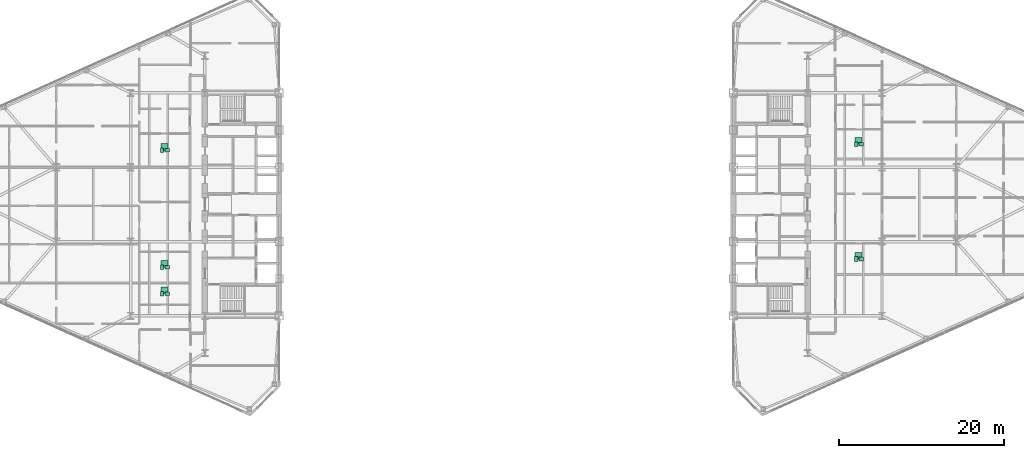
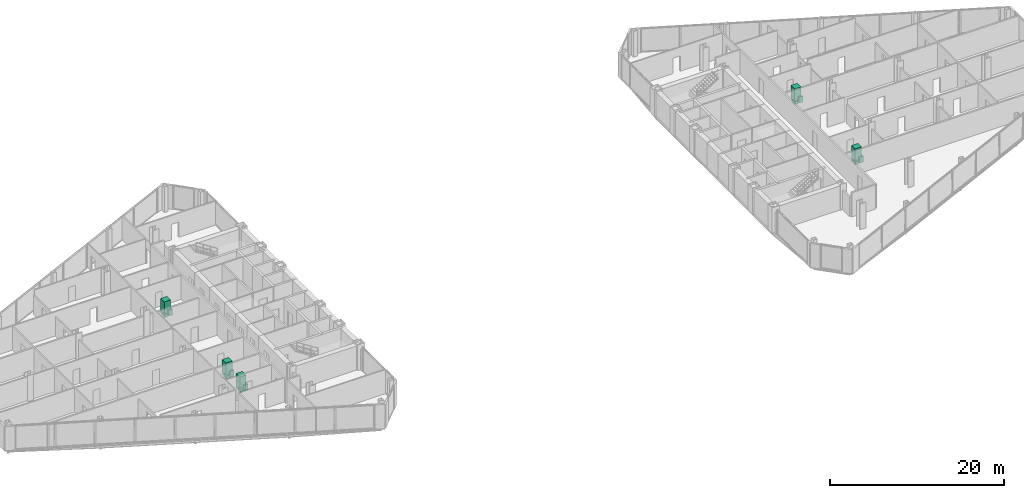
# One storey, part 27 of 27: 15 sanitary terminals.
"""IFC4 building model written with IfcOpenShell, lengths in metres."""

from ifc_helpers import new_model, si_unit, direction, frame, origin, origin_2d, place, context, subcontext, project, spatial, rectangle, extrude, source, transform, mapped, material, type_object, type_shapes, element, save


model = new_model("IFC4")

# Units and contexts
model_context = context("Model", 3, precision=1e-05, world=origin(), true_north=direction((0.0, 1.0)))
body_context = subcontext(model_context, "Body", "Model", "MODEL_VIEW")
ifc_project = project(units=[si_unit("LENGTHUNIT", "METRE"), si_unit("AREAUNIT", "SQUARE_METRE"), si_unit("VOLUMEUNIT", "CUBIC_METRE"), si_unit("PLANEANGLEUNIT", "RADIAN"), si_unit("MASSUNIT", "GRAM", prefix="KILO")], contexts=[model_context])

# Site, building, storey
site_placement = place(None, origin())
site = spatial("IfcSite", under=ifc_project, at=site_placement, CompositionType="ELEMENT")
building_placement = place(site_placement, origin())
building = spatial("IfcBuilding", under=site, at=building_placement, Name="Seokmaru Belvedere", CompositionType="ELEMENT")
storey_placement = place(building_placement, frame((0.0, 0.0, 69.300048828125)))
storey = spatial("IfcBuildingStorey", under=building, at=storey_placement, Name="L18", CompositionType="ELEMENT", Elevation=69.300048828125)

# Sanitary terminals
ifc_material_1 = material(Name="Vitreous China Sanitaryware")
sanitary_terminal_type_1 = type_object("IfcSanitaryTerminalType", Name="Wall-Hung Vitreous China WC Pan", PredefinedType="TOILETPAN", material=ifc_material_1)
shared_shape_1 = source(origin(), body_context, "Body", "SweptSolid", [
    extrude(rectangle(XDim=0.3798828125, YDim=0.56005859375, at=origin_2d()), origin(), (0.0, 0.0, 1.0), 0.419921875),
])
type_shapes(sanitary_terminal_type_1, [shared_shape_1])
for number, where, z_axis, x_axis, name in (
    (1, (-41.675048828125, -10.822021484375, 0.0), (0.0, 0.0, 1.0), (1.0, 0.0, 0.0), "L18 Vitreous China WC 0104"),
    (2, (-41.675048828125, -7.611083984375, 0.0), (0.0, 0.0, 1.0), (1.0, 0.0, 0.0), "L18 Vitreous China WC 0105"),
    (3, (-41.675048828125, 6.5390625, 0.0), (0.0, 0.0, 1.0), (1.0, 0.0, 0.0), "L18 Vitreous China WC 0106"),
    (4, (42.375, -6.611083984375, 0.0), (0.0, 0.0, 1.0), (1.0, 0.0, 0.0), "L18 Vitreous China WC 0107"),
    (5, (42.375, 7.2890625, 0.0), (0.0, 0.0, 1.0), (1.0, 0.0, 0.0), "L18 Vitreous China WC 0108"),
):
    element("IfcSanitaryTerminal", number, at=place(storey_placement, frame(where, z_axis=z_axis, x_axis=x_axis)), inside=storey, type_object=sanitary_terminal_type_1, Name=name, PredefinedType="TOILETPAN", context=body_context, shape_type="MappedRepresentation", body=[
        mapped(shared_shape_1, transform((0.0, 0.0, 0.0), scale=1.0)),
    ])
sanitary_terminal_type_2 = type_object("IfcSanitaryTerminalType", Name="Countertop Ceramic Washhand Basin", PredefinedType="WASHHANDBASIN", material=ifc_material_1)
shared_shape_2 = source(origin(), body_context, "Body", "SweptSolid", [
    extrude(rectangle(XDim=0.550048828125, YDim=0.449951171875, at=origin_2d()), origin(), (0.0, 0.0, 1.0), 0.820068359375),
])
type_shapes(sanitary_terminal_type_2, [shared_shape_2])
for number, where, z_axis, x_axis, name in (
    (6, (-41.074951171875, -10.822021484375, 0.0), (0.0, 0.0, 1.0), (1.0, 0.0, 0.0), "L18 Ceramic Washhand Basin 0104"),
    (7, (-41.074951171875, -7.611083984375, 0.0), (0.0, 0.0, 1.0), (1.0, 0.0, 0.0), "L18 Ceramic Washhand Basin 0105"),
    (8, (-41.074951171875, 6.5390625, 0.0), (0.0, 0.0, 1.0), (1.0, 0.0, 0.0), "L18 Ceramic Washhand Basin 0106"),
    (9, (42.97509765625, -6.611083984375, 0.0), (0.0, 0.0, 1.0), (1.0, 0.0, 0.0), "L18 Ceramic Washhand Basin 0107"),
    (10, (42.97509765625, 7.2890625, 0.0), (0.0, 0.0, 1.0), (1.0, 0.0, 0.0), "L18 Ceramic Washhand Basin 0108"),
):
    element("IfcSanitaryTerminal", number, at=place(storey_placement, frame(where, z_axis=z_axis, x_axis=x_axis)), inside=storey, type_object=sanitary_terminal_type_2, Name=name, PredefinedType="WASHHANDBASIN", context=body_context, shape_type="MappedRepresentation", body=[
        mapped(shared_shape_2, transform((0.0, 0.0, 0.0), scale=1.0)),
    ])
ifc_material_2 = material(Name="Stainless Steel 316", Category="steel")
sanitary_terminal_type_3 = type_object("IfcSanitaryTerminalType", Name="Walk-In Thermostatic Rain Shower Enclosure", PredefinedType="SHOWER", material=ifc_material_2)
shared_shape_3 = source(origin(), body_context, "Body", "SweptSolid", [
    extrude(rectangle(XDim=0.85009765625, YDim=0.85009765625, at=origin_2d()), origin(), (0.0, 0.0, 1.0), 2.050048828125),
])
type_shapes(sanitary_terminal_type_3, [shared_shape_3])
for number, where, z_axis, x_axis, name in (
    (11, (-41.375, -10.44189453125, 0.0), (0.0, 0.0, 1.0), (1.0, 0.0, 0.0), "L18 Walk-In Shower 0104"),
    (12, (-41.375, -7.23095703125, 0.0), (0.0, 0.0, 1.0), (1.0, 0.0, 0.0), "L18 Walk-In Shower 0105"),
    (13, (-41.375, 6.9189453125, 0.0), (0.0, 0.0, 1.0), (1.0, 0.0, 0.0), "L18 Walk-In Shower 0106"),
    (14, (42.675048828125, -6.23095703125, 0.0), (0.0, 0.0, 1.0), (1.0, 0.0, 0.0), "L18 Walk-In Shower 0107"),
    (15, (42.675048828125, 7.6689453125, 0.0), (0.0, 0.0, 1.0), (1.0, 0.0, 0.0), "L18 Walk-In Shower 0108"),
):
    element("IfcSanitaryTerminal", number, at=place(storey_placement, frame(where, z_axis=z_axis, x_axis=x_axis)), inside=storey, type_object=sanitary_terminal_type_3, Name=name, PredefinedType="SHOWER", context=body_context, shape_type="MappedRepresentation", body=[
        mapped(shared_shape_3, transform((0.0, 0.0, 0.0), scale=1.0)),
    ])

save(model, "model.ifc")
